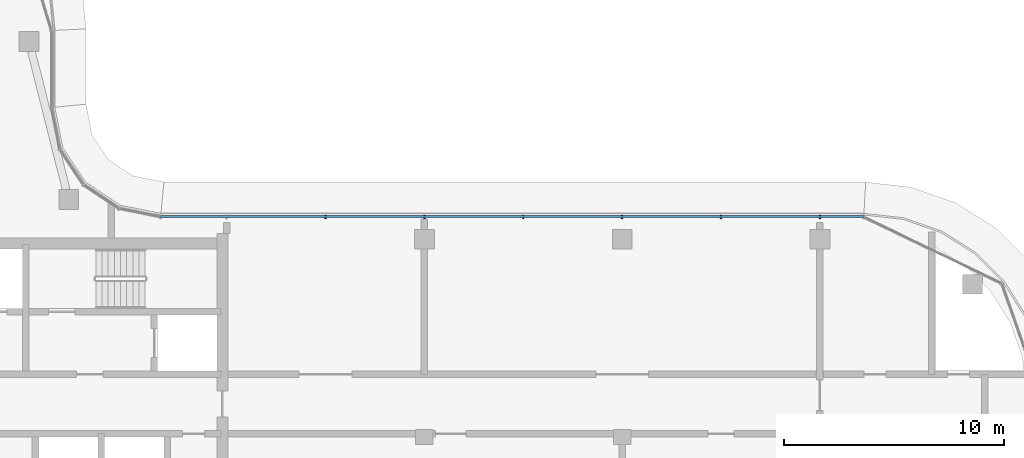
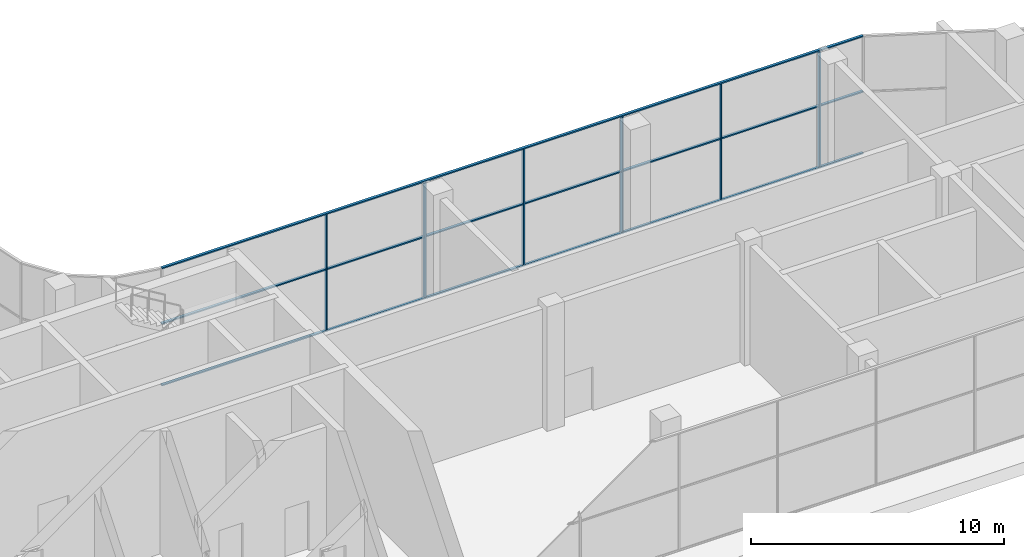
# One storey, part 8 of 23: 9 members, 1 element without a shape of its own.
"""IFC4 building model written with IfcOpenShell, lengths in metres."""

import ifcopenshell
import ifcopenshell.guid

model = None  # the IFC model being written
_history = None  # IfcOwnerHistory: only IFC2X3 demands one
_inside = {}  # id of a spatial element -> (the spatial element, [elements in it])
_under = {}  # id of a project, library or spatial element -> (it, [spatial elements below it])
_declared = {}  # id of a project -> (the project, [libraries it declares])
_typed = {}  # id of a type object -> (the type object, [elements of that type])
_made_of = {}  # id of a material, layer set ... -> (it, [elements and type objects made of it])


def new_model(schema):
    """Start an empty IFC model of exactly this schema.

    Asked for "IFC4X3", IfcOpenShell would pick the latest addendum, in which some entities
    have other attributes; the version numbers below select the first issue.
    IFC2X3 requires an IfcOwnerHistory on every rooted entity: one is made here for all.
    """
    global model, _history
    if schema == "IFC4X3":
        model = ifcopenshell.file(schema_version=(4, 3, 0, 0))
    else:
        model = ifcopenshell.file(schema=schema)
    _inside.clear()
    _under.clear()
    _declared.clear()
    _typed.clear()
    _made_of.clear()
    _history = None
    if model.schema == "IFC2X3":
        org = make("IfcOrganization", Name="unknown")
        user = make(
            "IfcPersonAndOrganization",
            ThePerson=make("IfcPerson", FamilyName="unknown"),
            TheOrganization=org,
        )
        app = make(
            "IfcApplication",
            ApplicationDeveloper=org,
            Version="unknown",
            ApplicationFullName="unknown",
            ApplicationIdentifier="unknown",
        )
        _history = make(
            "IfcOwnerHistory",
            OwningUser=user,
            OwningApplication=app,
            ChangeAction="ADDED",
            CreationDate=0,
        )
    return model


def make(cls, **values):
    """One entity of the class cls with the attributes given. An attribute that is None is left unset."""
    return model.create_entity(
        cls, **{name: value for name, value in values.items() if value is not None}
    )


def rooted(cls, **values):
    """An entity with a GlobalId (a new one), such as an element, a storey or a relation."""
    return make(cls, GlobalId=ifcopenshell.guid.new(), OwnerHistory=_history, **values)


def si_unit(unit_type, name, prefix=None):
    """IfcSIUnit, for example si_unit("LENGTHUNIT", "METRE", prefix="MILLI")."""
    return make("IfcSIUnit", UnitType=unit_type, Prefix=prefix, Name=name)


def assignment(units):
    """IfcUnitAssignment: the units of a project."""
    return None if units is None else make("IfcUnitAssignment", Units=units)


def point(xyz):
    """IfcCartesianPoint."""
    return None if xyz is None else make("IfcCartesianPoint", Coordinates=xyz)


def direction(xyz):
    """IfcDirection."""
    return None if xyz is None else make("IfcDirection", DirectionRatios=xyz)


def frame(location, z_axis=None, x_axis=None):
    """IfcAxis2Placement3D, a coordinate frame: its origin and axes. An axis left out is left unset."""
    return make(
        "IfcAxis2Placement3D",
        Location=point(location),
        Axis=direction(z_axis),
        RefDirection=direction(x_axis),
    )


def frame_2d(location, x_axis=None):
    """IfcAxis2Placement2D, a coordinate frame in the plane: its origin and x axis."""
    return make(
        "IfcAxis2Placement2D", Location=point(location), RefDirection=direction(x_axis)
    )


def origin():
    """The frame at (0, 0, 0) with its axes left unset."""
    return frame((0.0, 0.0, 0.0))


def origin_2d():
    """The frame at (0, 0) in the plane with its x axis left unset."""
    return frame_2d((0.0, 0.0))


def place(relative_to, where):
    """IfcLocalPlacement: puts the frame where relative to a parent placement (None: the world)."""
    return make(
        "IfcLocalPlacement", PlacementRelTo=relative_to, RelativePlacement=where
    )


def context(
    kind, dimensions, precision=None, world=None, true_north=None, identifier=None
):
    """IfcGeometricRepresentationContext, for example the 3D "Model" context."""
    return make(
        "IfcGeometricRepresentationContext",
        ContextIdentifier=identifier,
        ContextType=kind,
        CoordinateSpaceDimension=dimensions,
        Precision=precision,
        WorldCoordinateSystem=world,
        TrueNorth=true_north,
    )


def subcontext(parent, identifier, kind, view, scale=None):
    """IfcGeometricRepresentationSubContext, for example "Body" below "Model"."""
    return make(
        "IfcGeometricRepresentationSubContext",
        ContextIdentifier=identifier,
        ContextType=kind,
        ParentContext=parent,
        TargetScale=scale,
        TargetView=view,
    )


def project(units=None, contexts=None):
    """IfcProject with its units and contexts."""
    return rooted(
        "IfcProject",
        Name="project",
        RepresentationContexts=contexts,
        UnitsInContext=assignment(units),
    )


def spatial(cls, under=None, at=None, **own):
    """A site, building, storey or space (cls), placed at a placement, below another one or the project."""
    s = rooted(cls, ObjectPlacement=at, **own)
    if under is not None:
        _under.setdefault(under.id(), (under, []))[1].append(s)
    return s


def profile(cls, at=None, kind="AREA", **sizes):
    """A parametric profile (cls). Its sizes go by their IFC names, for example OverallWidth=200.0."""
    return make(cls, ProfileType=kind, Position=at, **sizes)


def rectangle(**sizes):
    """IfcRectangleProfileDef."""
    return profile("IfcRectangleProfileDef", **sizes)


def extrude(swept, where, along, depth):
    """IfcExtrudedAreaSolid: the profile swept, set in the frame where, extruded along a direction by depth."""
    return make(
        "IfcExtrudedAreaSolid",
        SweptArea=swept,
        Position=where,
        ExtrudedDirection=direction(along),
        Depth=depth,
    )


def shape(context_of_items, identifier, shape_type, items):
    """IfcShapeRepresentation: the items that make up one representation, for example the "Body"."""
    return make(
        "IfcShapeRepresentation",
        ContextOfItems=context_of_items,
        RepresentationIdentifier=identifier,
        RepresentationType=shape_type,
        Items=items,
    )


def material(Name=None, Category=None):
    """IfcMaterial."""
    return make("IfcMaterial", Name=Name, Category=Category)


def material_profile(
    of_material, cross_section, Name=None, Category=None, Priority=None
):
    """IfcMaterialProfile: a cross section and its material."""
    return make(
        "IfcMaterialProfile",
        Name=Name,
        Material=of_material,
        Profile=cross_section,
        Priority=Priority,
        Category=Category,
    )


def profile_set(profiles, Name=None, composite=None):
    """IfcMaterialProfileSet."""
    return make(
        "IfcMaterialProfileSet",
        Name=Name,
        MaterialProfiles=profiles,
        CompositeProfile=composite,
    )


def made_of(thing, what):
    """Note that an element or type object is made of a material, layer set ...; save() writes the relation."""
    if what is not None:
        _made_of.setdefault(what.id(), (what, []))[1].append(thing)
    return thing


def type_object(cls, material=None, **own):
    """A type object (cls), such as IfcWallType, which elements share."""
    return made_of(rooted(cls, **own), material)


def element(
    cls,
    number,
    at=None,
    inside=None,
    cuts=None,
    type_object=None,
    material=None,
    context=None,
    identifier="Body",
    shape_type=None,
    held_by="IfcProductDefinitionShape",
    body=None,
    shapes=None,
    **own,
):
    """One element of the class cls, such as IfcWall. Its Tag is "e" and its number.

    at: its placement. inside: the storey or other place that contains it. cuts: it is an
    opening in that element (IfcRelVoidsElement). A single representation is given by context,
    identifier, shape_type and body (its items); several are given by shapes. held_by: the class
    of the entity that holds the representations. save() writes the other relations.
    """
    e = rooted(cls, Tag="e%d" % number, ObjectPlacement=at, **own)
    if body is not None:
        shapes = [shape(context, identifier, shape_type, body)]
    if shapes is not None:
        e.Representation = make(held_by, Representations=shapes)
    if inside is not None:
        _inside.setdefault(inside.id(), (inside, []))[1].append(e)
    if cuts is not None:
        rooted(
            "IfcRelVoidsElement", RelatingBuildingElement=cuts, RelatedOpeningElement=e
        )
    if type_object is not None:
        _typed.setdefault(type_object.id(), (type_object, []))[1].append(e)
    return made_of(e, material)


def aggregate(whole, parts):
    """IfcRelAggregates: a whole, such as a stair, and the parts it consists of."""
    return rooted("IfcRelAggregates", RelatingObject=whole, RelatedObjects=parts)


def save(model, path):
    """Write the relations noted so far, then the file.

    IfcRelAggregates (storeys below a building ...), IfcRelContainedInSpatialStructure (elements
    in a storey), IfcRelDefinesByType, IfcRelAssociatesMaterial and IfcRelDeclares: one each for
    every whole, place, type object, material and project.
    """
    for whole, parts in _under.values():
        aggregate(whole, parts)
    for where, things in _inside.values():
        rooted(
            "IfcRelContainedInSpatialStructure",
            RelatedElements=things,
            RelatingStructure=where,
        )
    for kind, things in _typed.values():
        rooted("IfcRelDefinesByType", RelatedObjects=things, RelatingType=kind)
    for what, things in _made_of.values():
        rooted("IfcRelAssociatesMaterial", RelatedObjects=things, RelatingMaterial=what)
    for by, libraries in _declared.values():
        rooted("IfcRelDeclares", RelatingContext=by, RelatedDefinitions=libraries)
    model.write(path)


model = new_model("IFC4")

# Units and contexts
model_context = context("Model", 3, precision=1e-05, world=origin(), true_north=direction((0.0, 1.0)))
body_context = subcontext(model_context, "Body", "Model", "MODEL_VIEW")
ifc_project = project(units=[si_unit("LENGTHUNIT", "METRE"), si_unit("AREAUNIT", "SQUARE_METRE"), si_unit("VOLUMEUNIT", "CUBIC_METRE"), si_unit("PLANEANGLEUNIT", "RADIAN"), si_unit("MASSUNIT", "GRAM", prefix="KILO")], contexts=[model_context])

# Site, building, storey
site_placement = place(None, origin())
site = spatial("IfcSite", under=ifc_project, at=site_placement, CompositionType="ELEMENT")
building_placement = place(site_placement, origin())
building = spatial("IfcBuilding", under=site, at=building_placement, Name="Ogive Portal Towers", CompositionType="ELEMENT")
storey_placement = place(building_placement, frame((0.0, 0.0, 260.89990234375)))
storey = spatial("IfcBuildingStorey", under=building, at=storey_placement, Name="L64", CompositionType="ELEMENT", Elevation=260.89990234375)

# Curtain wall, members
ifc_material_1 = material(Name="Glass, clear low-iron insulated glazing", Category="glass")
curtain_wall_type = type_object("IfcCurtainWallType", Name="CW OBSERVATION WALL", PredefinedType="NOTDEFINED", material=ifc_material_1)
curtain_wall_placement = place(storey_placement, origin())
curtain_wall = element("IfcCurtainWall", 1, at=curtain_wall_placement, inside=storey, type_object=curtain_wall_type, Name="A:L64:f11:cw0", PredefinedType="NOTDEFINED")
ifc_material_2 = material(Name="Aluminium 6063 anodised", Category="aluminium")
ifc_material_profile_1 = material_profile(ifc_material_2, rectangle(XDim=0.159912109375, YDim=0.06005859375, at=origin_2d()), Name="AL 60x160")
ifc_profile_set_1 = profile_set([ifc_material_profile_1], Name="Aluminium 6063 anodised")
member_type_1 = type_object("IfcMemberType", Name="CW MULLION 60x160", PredefinedType="MULLION", material=ifc_profile_set_1)
member_1_placement = place(storey_placement, frame((85.5, 40.52001953125, 0.06005859375), z_axis=(0.0, 0.0, 1.0), x_axis=(0.0, -1.0, 0.0)))
member_1 = element("IfcMember", 2, at=member_1_placement, type_object=member_type_1, Name="mullion", PredefinedType="MULLION", context=body_context, shape_type="SweptSolid", body=[
    extrude(rectangle(XDim=0.159912109375, YDim=0.06005859375, at=origin_2d()), origin(), (0.0, 0.0, 1.0), 5.580078125),
])
member_2_placement = place(storey_placement, frame((81.0, 40.52001953125, 0.06005859375), z_axis=(0.0, 0.0, 1.0), x_axis=(0.0, -1.0, 0.0)))
member_2 = element("IfcMember", 3, at=member_2_placement, type_object=member_type_1, Name="mullion", PredefinedType="MULLION", context=body_context, shape_type="SweptSolid", body=[
    extrude(rectangle(XDim=0.159912109375, YDim=0.06005859375, at=origin_2d()), origin(), (0.0, 0.0, 1.0), 5.580078125),
])
member_3_placement = place(storey_placement, frame((76.5, 40.52001953125, 0.06005859375), z_axis=(0.0, 0.0, 1.0), x_axis=(0.0, -1.0, 0.0)))
member_3 = element("IfcMember", 4, at=member_3_placement, type_object=member_type_1, Name="mullion", PredefinedType="MULLION", context=body_context, shape_type="SweptSolid", body=[
    extrude(rectangle(XDim=0.159912109375, YDim=0.06005859375, at=origin_2d()), origin(), (0.0, 0.0, 1.0), 5.580078125),
])
member_4_placement = place(storey_placement, frame((72.0, 40.52001953125, 0.06005859375), z_axis=(0.0, 0.0, 1.0), x_axis=(0.0, -1.0, 0.0)))
member_4 = element("IfcMember", 5, at=member_4_placement, type_object=member_type_1, Name="mullion", PredefinedType="MULLION", context=body_context, shape_type="SweptSolid", body=[
    extrude(rectangle(XDim=0.159912109375, YDim=0.06005859375, at=origin_2d()), origin(), (0.0, 0.0, 1.0), 5.580078125),
])
member_5_placement = place(storey_placement, frame((67.5, 40.52001953125, 0.06005859375), z_axis=(0.0, 0.0, 1.0), x_axis=(0.0, -1.0, 0.0)))
member_5 = element("IfcMember", 6, at=member_5_placement, type_object=member_type_1, Name="mullion", PredefinedType="MULLION", context=body_context, shape_type="SweptSolid", body=[
    extrude(rectangle(XDim=0.159912109375, YDim=0.06005859375, at=origin_2d()), origin(), (0.0, 0.0, 1.0), 5.580078125),
])
member_6_placement = place(storey_placement, frame((63.0, 40.52001953125, 0.06005859375), z_axis=(0.0, 0.0, 1.0), x_axis=(0.0, -1.0, 0.0)))
member_6 = element("IfcMember", 7, at=member_6_placement, type_object=member_type_1, Name="mullion", PredefinedType="MULLION", context=body_context, shape_type="SweptSolid", body=[
    extrude(rectangle(XDim=0.159912109375, YDim=0.06005859375, at=origin_2d()), origin(), (0.0, 0.0, 1.0), 5.580078125),
])
ifc_material_profile_2 = material_profile(ifc_material_2, rectangle(XDim=0.1201171875, YDim=0.06005859375, at=origin_2d()), Name="AL 120x60")
ifc_profile_set_2 = profile_set([ifc_material_profile_2], Name="Aluminium 6063 anodised")
member_type_2 = type_object("IfcMemberType", Name="CW TRANSOM 60x120", PredefinedType="USERDEFINED", material=ifc_profile_set_2)
member_7_placement = place(storey_placement, frame((87.481689453125, 40.52001953125, 0.030029296875), z_axis=(-1.0, 0.0, 0.0), x_axis=(0.0, -1.0, 0.0)))
member_7 = element("IfcMember", 8, at=member_7_placement, type_object=member_type_2, Name="transom", ObjectType="TRANSOM", PredefinedType="USERDEFINED", context=body_context, shape_type="SweptSolid", body=[
    extrude(rectangle(XDim=0.1201171875, YDim=0.06005859375, at=origin_2d()), origin(), (0.0, 0.0, 1.0), 31.989501953125),
])
member_8_placement = place(storey_placement, frame((87.481689453125, 40.52001953125, 3.0), z_axis=(-1.0, 0.0, 0.0), x_axis=(0.0, -1.0, 0.0)))
member_8 = element("IfcMember", 9, at=member_8_placement, type_object=member_type_2, Name="transom", ObjectType="TRANSOM", PredefinedType="USERDEFINED", context=body_context, shape_type="SweptSolid", body=[
    extrude(rectangle(XDim=0.1201171875, YDim=0.06005859375, at=origin_2d()), origin(), (0.0, 0.0, 1.0), 31.989501953125),
])
member_9_placement = place(storey_placement, frame((87.481689453125, 40.52001953125, 5.670166015625), z_axis=(-1.0, 0.0, 0.0), x_axis=(0.0, -1.0, 0.0)))
member_9 = element("IfcMember", 10, at=member_9_placement, type_object=member_type_2, Name="transom", ObjectType="TRANSOM", PredefinedType="USERDEFINED", context=body_context, shape_type="SweptSolid", body=[
    extrude(rectangle(XDim=0.1201171875, YDim=0.06005859375, at=origin_2d()), origin(), (0.0, 0.0, 1.0), 31.989501953125),
])
aggregate(curtain_wall, [member_7, member_8, member_9, member_1, member_2, member_3, member_4, member_5, member_6])

save(model, "model.ifc")
